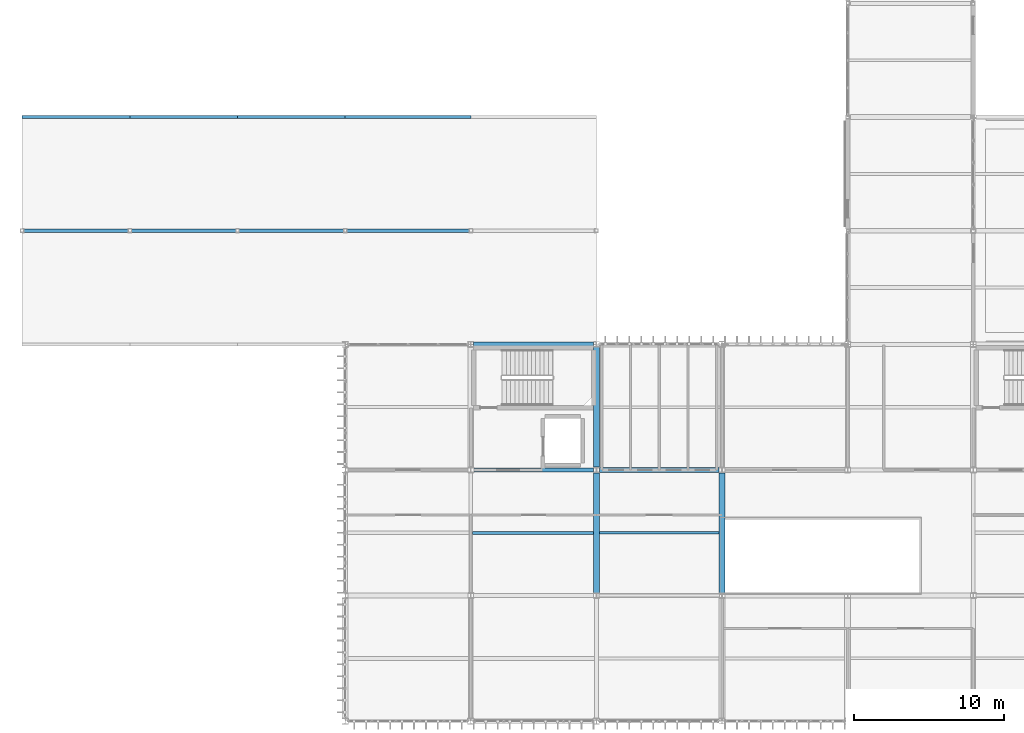
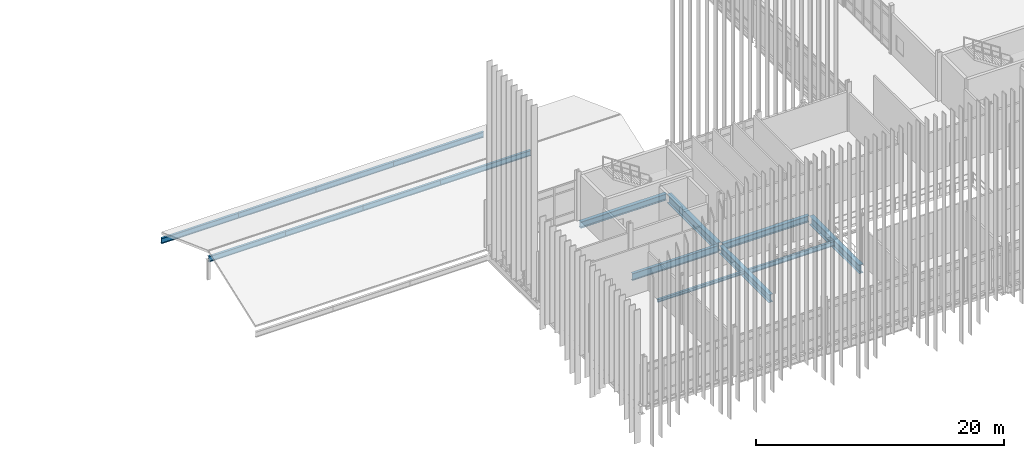
# One storey, part 27 of 153: 16 beams.
"""IFC4 building model written with IfcOpenShell, lengths in metres."""

from ifc_helpers import new_model, si_unit, direction, frame, origin, origin_2d, place, context, subcontext, project, spatial, i_section, extrude, material, material_profile, profile_set, type_object, element, save


model = new_model("IFC4")

# Units and contexts
model_context = context("Model", 3, precision=1e-05, world=origin(), true_north=direction((0.0, 1.0)))
body_context = subcontext(model_context, "Body", "Model", "MODEL_VIEW")
ifc_project = project(units=[si_unit("LENGTHUNIT", "METRE"), si_unit("AREAUNIT", "SQUARE_METRE"), si_unit("VOLUMEUNIT", "CUBIC_METRE"), si_unit("PLANEANGLEUNIT", "RADIAN"), si_unit("MASSUNIT", "GRAM", prefix="KILO")], contexts=[model_context])

# Site, building, storey
site_placement = place(None, origin())
site = spatial("IfcSite", under=ifc_project, at=site_placement, CompositionType="ELEMENT")
building_placement = place(site_placement, origin())
building = spatial("IfcBuilding", under=site, at=building_placement, Name="Calvrana Isthmian Art Gallery", CompositionType="ELEMENT")
storey_placement = place(building_placement, frame((0.0, 0.0, 10.199951171875)))
storey = spatial("IfcBuildingStorey", under=building, at=storey_placement, Name="L02", CompositionType="ELEMENT", Elevation=10.199951171875)

# Beams
ifc_material = material(Name="Steel ASTM A992 Gr 50", Category="steel")
ifc_material_profile_1 = material_profile(ifc_material, i_section(OverallWidth=0.208984375, OverallDepth=0.532958984375, WebThickness=0.01025390625, FlangeThickness=0.015625, FilletRadius=0.02099609375, at=origin_2d()), Name="W21X62")
ifc_profile_set_1 = profile_set([ifc_material_profile_1], Name="Steel ASTM A992 Gr 50")
beam_type_1 = type_object("IfcBeamType", Name="BM-G-W21X62", PredefinedType="BEAM", material=ifc_profile_set_1)
for number, where, z_axis, x_axis, name in (
    (1, (0.0, 54.39990234375, 1.97998046875), (1.0, 0.0, 0.0), (0.0, 1.0, 0.0), "Sloped roof rafter SROOF_V3_S-4"),
    (2, (7.199951171875, 54.39990234375, 1.97998046875), (1.0, 0.0, 0.0), (0.0, 1.0, 0.0), "Sloped roof rafter SROOF_V3_S-5"),
):
    element("IfcBeam", number, at=place(storey_placement, frame(where, z_axis=z_axis, x_axis=x_axis)), inside=storey, type_object=beam_type_1, Name=name, PredefinedType="BEAM", context=body_context, shape_type="SweptSolid", body=[
        extrude(i_section(OverallWidth=0.208984375, OverallDepth=0.532958984375, WebThickness=0.01025390625, FlangeThickness=0.015625, FilletRadius=0.02099609375, at=origin_2d()), origin(), (0.0, 0.0, 1.0), 7.199951171875),
    ])
beam_1_placement = place(storey_placement, frame((14.39990234375, 54.39990234375, 1.97998046875), z_axis=(1.0, 0.0, 0.0), x_axis=(0.0, 1.0, 0.0)))
element("IfcBeam", 3, at=beam_1_placement, inside=storey, type_object=beam_type_1, Name="Sloped roof rafter SROOF_V3_S-6", PredefinedType="BEAM", context=body_context, shape_type="SweptSolid", body=[
    extrude(i_section(OverallWidth=0.208984375, OverallDepth=0.532958984375, WebThickness=0.01025390625, FlangeThickness=0.015625, FilletRadius=0.02099609375, at=origin_2d()), origin(), (0.0, 0.0, 1.0), 7.2001953125),
])
beam_2_placement = place(storey_placement, frame((21.60009765625, 54.39990234375, 1.97998046875), z_axis=(1.0, 0.0, 0.0), x_axis=(0.0, 1.0, 0.0)))
element("IfcBeam", 4, at=beam_2_placement, inside=storey, type_object=beam_type_1, Name="Sloped roof rafter SROOF_V3_S-7", PredefinedType="BEAM", context=body_context, shape_type="SweptSolid", body=[
    extrude(i_section(OverallWidth=0.208984375, OverallDepth=0.532958984375, WebThickness=0.01025390625, FlangeThickness=0.015625, FilletRadius=0.02099609375, at=origin_2d()), origin(), (0.0, 0.0, 1.0), 8.39990234375),
])
for number, where, z_axis, x_axis, name in (
    (5, (0.0, 62.0, -0.820068359375), (1.0, 0.0, 0.0), (0.0, 1.0, 0.0), "Sloped roof rafter SROOF_V3_N-9"),
    (6, (7.199951171875, 62.0, -0.820068359375), (1.0, 0.0, 0.0), (0.0, 1.0, 0.0), "Sloped roof rafter SROOF_V3_N-10"),
):
    element("IfcBeam", number, at=place(storey_placement, frame(where, z_axis=z_axis, x_axis=x_axis)), inside=storey, type_object=beam_type_1, Name=name, PredefinedType="BEAM", context=body_context, shape_type="SweptSolid", body=[
        extrude(i_section(OverallWidth=0.208984375, OverallDepth=0.532958984375, WebThickness=0.01025390625, FlangeThickness=0.015625, FilletRadius=0.02099609375, at=origin_2d()), origin(), (0.0, 0.0, 1.0), 7.199951171875),
    ])
beam_3_placement = place(storey_placement, frame((14.39990234375, 62.0, -0.820068359375), z_axis=(1.0, 0.0, 0.0), x_axis=(0.0, 1.0, 0.0)))
element("IfcBeam", 7, at=beam_3_placement, inside=storey, type_object=beam_type_1, Name="Sloped roof rafter SROOF_V3_N-11", PredefinedType="BEAM", context=body_context, shape_type="SweptSolid", body=[
    extrude(i_section(OverallWidth=0.208984375, OverallDepth=0.532958984375, WebThickness=0.01025390625, FlangeThickness=0.015625, FilletRadius=0.02099609375, at=origin_2d()), origin(), (0.0, 0.0, 1.0), 7.2001953125),
])
beam_4_placement = place(storey_placement, frame((21.60009765625, 62.0, -0.820068359375), z_axis=(1.0, 0.0, 0.0), x_axis=(0.0, 1.0, 0.0)))
element("IfcBeam", 8, at=beam_4_placement, inside=storey, type_object=beam_type_1, Name="Sloped roof rafter SROOF_V3_N-12", PredefinedType="BEAM", context=body_context, shape_type="SweptSolid", body=[
    extrude(i_section(OverallWidth=0.208984375, OverallDepth=0.532958984375, WebThickness=0.01025390625, FlangeThickness=0.015625, FilletRadius=0.02099609375, at=origin_2d()), origin(), (0.0, 0.0, 1.0), 8.39990234375),
])
ifc_material_profile_2 = material_profile(ifc_material, i_section(OverallWidth=0.327880859375, OverallDepth=0.6220703125, WebThickness=0.015380859375, FlangeThickness=0.0244140625, FilletRadius=0.02197265625, at=origin_2d()), Name="W24X131")
ifc_profile_set_2 = profile_set([ifc_material_profile_2], Name="Steel ASTM A992 Gr 50")
beam_type_2 = type_object("IfcBeamType", Name="BM-G-W24X131", PredefinedType="BEAM", material=ifc_profile_set_2)
beam_5_placement = place(storey_placement, frame((38.597900390625, 38.39990234375, -0.575927734375), z_axis=(1.0, 0.0, 0.0), x_axis=(0.0, 1.0, 0.0)))
element("IfcBeam", 9, at=beam_5_placement, inside=storey, type_object=beam_type_2, Name="Girder X L02 06-07/F", PredefinedType="BEAM", context=body_context, shape_type="SweptSolid", body=[
    extrude(i_section(OverallWidth=0.327880859375, OverallDepth=0.6220703125, WebThickness=0.015380859375, FlangeThickness=0.0244140625, FilletRadius=0.02197265625, at=origin_2d()), origin(), (0.0, 0.0, 1.0), 8.005126953125),
])
beam_6_placement = place(storey_placement, frame((30.1865234375, 46.800048828125, -0.575927734375), z_axis=(1.0, 0.0, 0.0), x_axis=(0.0, 1.0, 0.0)))
element("IfcBeam", 10, at=beam_6_placement, inside=storey, type_object=beam_type_2, Name="Girder X L02 05-06/G", PredefinedType="BEAM", context=body_context, shape_type="SweptSolid", body=[
    extrude(i_section(OverallWidth=0.327880859375, OverallDepth=0.6220703125, WebThickness=0.015380859375, FlangeThickness=0.0244140625, FilletRadius=0.02197265625, at=origin_2d()), origin(), (0.0, 0.0, 1.0), 8.013916015625),
])
ifc_material_profile_3 = material_profile(ifc_material, i_section(OverallWidth=0.257080078125, OverallDepth=0.693115234375, WebThickness=0.014404296875, FlangeThickness=0.023681640625, FilletRadius=0.02392578125, at=origin_2d()), Name="W27X114")
ifc_profile_set_3 = profile_set([ifc_material_profile_3], Name="Steel ASTM A992 Gr 50")
beam_type_3 = type_object("IfcBeamType", Name="BM-G-W27X114", PredefinedType="BEAM", material=ifc_profile_set_3)
beam_7_placement = place(storey_placement, frame((30.199462890625, 38.39990234375, -0.611572265625), z_axis=(1.0, 0.0, 0.0), x_axis=(0.0, 1.0, 0.0)))
element("IfcBeam", 11, at=beam_7_placement, inside=storey, type_object=beam_type_3, Name="Girder X L02 05-06/F", PredefinedType="BEAM", context=body_context, shape_type="SweptSolid", body=[
    extrude(i_section(OverallWidth=0.257080078125, OverallDepth=0.693115234375, WebThickness=0.014404296875, FlangeThickness=0.023681640625, FilletRadius=0.02392578125, at=origin_2d()), origin(), (0.0, 0.0, 1.0), 8.00244140625),
])
ifc_material_profile_4 = material_profile(ifc_material, i_section(OverallWidth=0.381103515625, OverallDepth=0.77197265625, WebThickness=0.0166015625, FlangeThickness=0.027099609375, FilletRadius=0.02490234375, at=origin_2d()), Name="W30X173")
ifc_profile_set_4 = profile_set([ifc_material_profile_4], Name="Steel ASTM A992 Gr 50")
beam_type_4 = type_object("IfcBeamType", Name="BM-G-W30X173", PredefinedType="BEAM", material=ifc_profile_set_4)
beam_8_placement = place(storey_placement, frame((38.39990234375, 30.181396484375, -0.65087890625), z_axis=(0.0, 1.0, 0.0), x_axis=(-1.0, 0.0, 0.0)))
element("IfcBeam", 12, at=beam_8_placement, inside=storey, type_object=beam_type_4, Name="Girder Y L02 06/E-F", PredefinedType="BEAM", context=body_context, shape_type="SweptSolid", body=[
    extrude(i_section(OverallWidth=0.381103515625, OverallDepth=0.77197265625, WebThickness=0.0166015625, FlangeThickness=0.027099609375, FilletRadius=0.02490234375, at=origin_2d()), origin(), (0.0, 0.0, 1.0), 8.028076171875),
])
ifc_material_profile_5 = material_profile(ifc_material, i_section(OverallWidth=0.40087890625, OverallDepth=0.85595703125, WebThickness=0.018310546875, FlangeThickness=0.029296875, FilletRadius=0.02587890625, at=origin_2d()), Name="W33X201")
ifc_profile_set_5 = profile_set([ifc_material_profile_5], Name="Steel ASTM A992 Gr 50")
beam_type_5 = type_object("IfcBeamType", Name="BM-G-W33X201", PredefinedType="BEAM", material=ifc_profile_set_5)
beam_9_placement = place(storey_placement, frame((38.39990234375, 38.590576171875, -0.69287109375), z_axis=(0.0, 1.0, 0.0), x_axis=(-1.0, 0.0, 0.0)))
element("IfcBeam", 13, at=beam_9_placement, inside=storey, type_object=beam_type_5, Name="Girder Y L02 06/F-G", PredefinedType="BEAM", context=body_context, shape_type="SweptSolid", body=[
    extrude(i_section(OverallWidth=0.40087890625, OverallDepth=0.85595703125, WebThickness=0.018310546875, FlangeThickness=0.029296875, FilletRadius=0.02587890625, at=origin_2d()), origin(), (0.0, 0.0, 1.0), 8.016357421875),
])
beam_10_placement = place(storey_placement, frame((46.800048828125, 30.177978515625, -0.69287109375), z_axis=(0.0, 1.0, 0.0), x_axis=(-1.0, 0.0, 0.0)))
element("IfcBeam", 14, at=beam_10_placement, inside=storey, type_object=beam_type_5, Name="Girder Y L02 07/E-F", PredefinedType="BEAM", context=body_context, shape_type="SweptSolid", body=[
    extrude(i_section(OverallWidth=0.40087890625, OverallDepth=0.85595703125, WebThickness=0.018310546875, FlangeThickness=0.029296875, FilletRadius=0.02587890625, at=origin_2d()), origin(), (0.0, 0.0, 1.0), 8.033935546875),
])
ifc_material_profile_6 = material_profile(ifc_material, i_section(OverallWidth=0.202880859375, OverallDepth=0.302001953125, WebThickness=0.007568359375, FlangeThickness=0.01318359375, FilletRadius=0.01611328125, at=origin_2d()), Name="W12X40")
ifc_profile_set_6 = profile_set([ifc_material_profile_6], Name="Steel ASTM A992 Gr 50")
beam_type_6 = type_object("IfcBeamType", Name="BM-J-W12X40", PredefinedType="JOIST", material=ifc_profile_set_6)
beam_11_placement = place(storey_placement, frame((30.12841796875, 34.199951171875, -0.416015625), z_axis=(1.0, 0.0, 0.0), x_axis=(0.0, 1.0, 0.0)))
element("IfcBeam", 15, at=beam_11_placement, inside=storey, type_object=beam_type_6, Name="Composite joist L02 bay 04-04", PredefinedType="JOIST", context=body_context, shape_type="SweptSolid", body=[
    extrude(i_section(OverallWidth=0.202880859375, OverallDepth=0.302001953125, WebThickness=0.007568359375, FlangeThickness=0.01318359375, FilletRadius=0.01611328125, at=origin_2d()), origin(), (0.0, 0.0, 1.0), 8.0810546875),
])
ifc_material_profile_7 = material_profile(ifc_material, i_section(OverallWidth=0.19091796875, OverallDepth=0.45703125, WebThickness=0.009033203125, FlangeThickness=0.014404296875, FilletRadius=0.02001953125, at=origin_2d()), Name="W18X50")
ifc_profile_set_7 = profile_set([ifc_material_profile_7], Name="Steel ASTM A992 Gr 50")
beam_type_7 = type_object("IfcBeamType", Name="BM-J-W18X50", PredefinedType="JOIST", material=ifc_profile_set_7)
beam_12_placement = place(storey_placement, frame((38.590576171875, 34.199951171875, -0.493408203125), z_axis=(1.0, 0.0, 0.0), x_axis=(0.0, 1.0, 0.0)))
element("IfcBeam", 16, at=beam_12_placement, inside=storey, type_object=beam_type_7, Name="Composite joist L02 bay 05-04", PredefinedType="JOIST", context=body_context, shape_type="SweptSolid", body=[
    extrude(i_section(OverallWidth=0.19091796875, OverallDepth=0.45703125, WebThickness=0.009033203125, FlangeThickness=0.014404296875, FilletRadius=0.02001953125, at=origin_2d()), origin(), (0.0, 0.0, 1.0), 8.009033203125),
])

save(model, "model.ifc")
